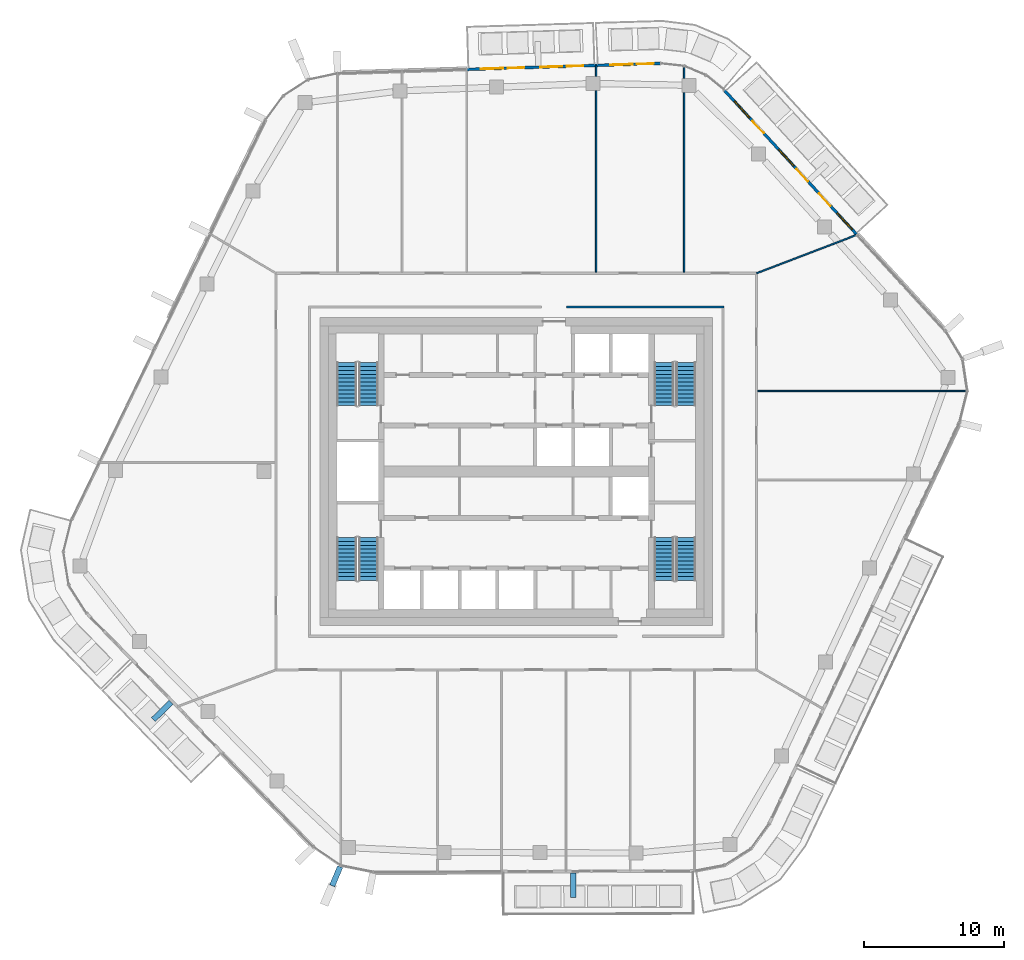
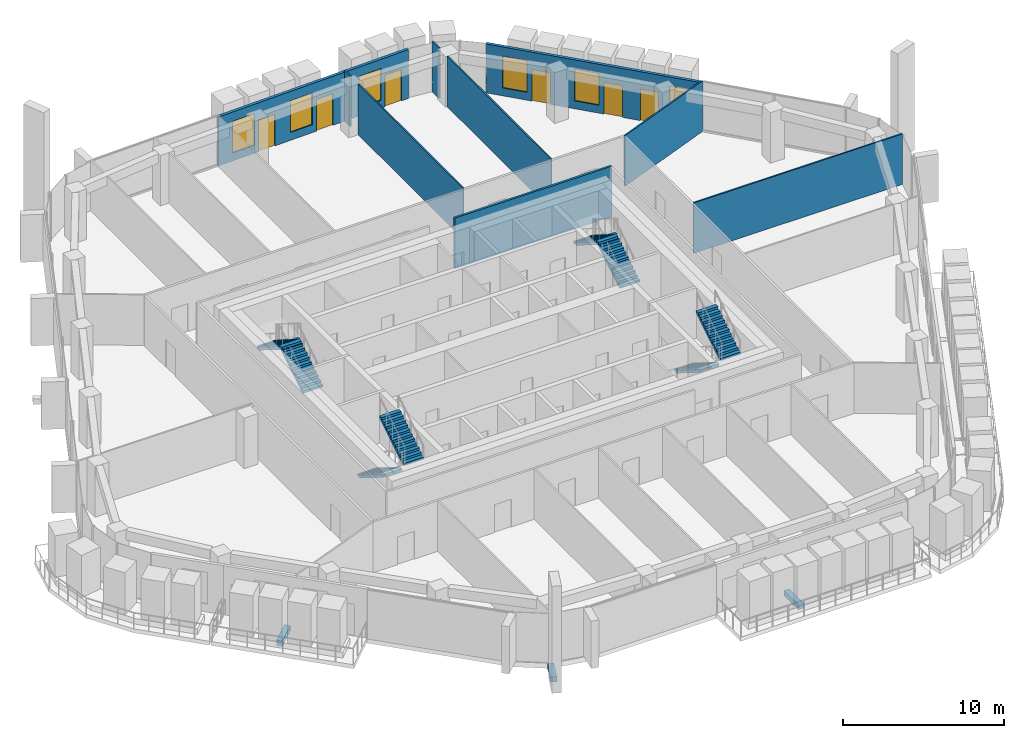
# One storey, part 16 of 24: 10 walls, 8 stair flights, 6 doors, 6 windows, 3 discrete accessories, 12 openings, 4 elements without a shape of their own.
"""IFC4 building model written with IfcOpenShell, lengths in metres."""

from ifc_helpers import new_model, si_unit, direction, frame, frame_2d, origin, origin_2d, place, context, subcontext, project, spatial, polyline, rectangle, outline, extrude, material, layer, layer_set, type_object, element, fill, aggregate, save


model = new_model("IFC4")

# Units and contexts
model_context = context("Model", 3, precision=1e-05, world=origin(), true_north=direction((0.0, 1.0)))
body_context = subcontext(model_context, "Body", "Model", "MODEL_VIEW")
ifc_project = project(units=[si_unit("LENGTHUNIT", "METRE"), si_unit("AREAUNIT", "SQUARE_METRE"), si_unit("VOLUMEUNIT", "CUBIC_METRE"), si_unit("PLANEANGLEUNIT", "RADIAN"), si_unit("MASSUNIT", "GRAM", prefix="KILO")], contexts=[model_context])

# Site, building, storey
site_placement = place(None, origin())
site = spatial("IfcSite", under=ifc_project, at=site_placement, CompositionType="ELEMENT")
building_placement = place(site_placement, origin())
building = spatial("IfcBuilding", under=site, at=building_placement, Name="Dongbaek Canopy Tower", CompositionType="ELEMENT")
storey_placement = place(building_placement, frame((0.0, 0.0, 344.60009765625)))
storey = spatial("IfcBuildingStorey", under=building, at=storey_placement, Name="L74", CompositionType="ELEMENT", Elevation=344.60009765625)

# Walls
ifc_material_1 = material(Name="Gypsum board partition, steel stud, 2 x 15 mm fire board", Category="steel")
ifc_layer_1 = layer(ifc_material_1, 0.14990234375)
ifc_layer_set_1 = layer_set([ifc_layer_1], Name="Fire-rated partition 150 gypsum board")
wall_type_1 = type_object("IfcWallType", Name="Fire-rated partition 150 gypsum board", PredefinedType="PARTITIONING", material=ifc_layer_set_1)
wall_1_placement = place(storey_placement, frame((3.60009765625, 11.75, 0.0), z_axis=(0.0, 0.0, 1.0), x_axis=(1.0, 0.0, 0.0)))
element("IfcWall", 1, at=wall_1_placement, inside=storey, type_object=wall_type_1, Name="Corridor partition", PredefinedType="PARTITIONING", context=body_context, shape_type="SweptSolid", body=[
    extrude(rectangle(XDim=11.224853515625, YDim=0.14990234375, at=frame_2d((5.6123046875, 0.0))), origin(), (0.0, 0.0, 1.0), 3.81982421875),
])
ifc_material_2 = material(Name="Gypsum board partition, steel stud, 2 x 12.5 mm board", Category="steel")
ifc_layer_2 = layer(ifc_material_2, 0.10009765625)
ifc_layer_set_2 = layer_set([ifc_layer_2], Name="Partition 100 gypsum board")
wall_type_2 = type_object("IfcWallType", Name="Partition 100 gypsum board", PredefinedType="PARTITIONING", material=ifc_layer_set_2)
wall_2_placement = place(storey_placement, frame((17.22509765625, 5.74609375, 0.0), z_axis=(0.0, 0.0, 1.0), x_axis=(1.0, 0.0, 0.0)))
element("IfcWall", 2, at=wall_2_placement, inside=storey, type_object=wall_type_2, Name="Partition", PredefinedType="PARTITIONING", context=body_context, shape_type="SweptSolid", body=[
    extrude(rectangle(XDim=14.93115234375, YDim=0.10009765625, at=frame_2d((7.465576171875, 0.0))), origin(), (0.0, 0.0, 1.0), 3.81982421875),
])
wall_3_placement = place(storey_placement, frame((17.14990234375, 14.150146484375, 0.0), z_axis=(0.0, 0.0, 1.0), x_axis=(0.933641376905, 0.358209127927, 0.0)))
element("IfcWall", 3, at=wall_3_placement, inside=storey, type_object=wall_type_2, Name="Partition", PredefinedType="PARTITIONING", context=body_context, shape_type="SweptSolid", body=[
    extrude(rectangle(XDim=7.650390625, YDim=0.10009765625, at=frame_2d((3.8251953125, 0.0))), origin(), (0.0, 0.0, 1.0), 3.81982421875),
])
wall_4_placement = place(storey_placement, frame((11.97900390625, 14.22509765625, 0.0), z_axis=(0.0, 0.0, 1.0), x_axis=(0.0, 1.0, 0.0)))
element("IfcWall", 4, at=wall_4_placement, inside=storey, type_object=wall_type_2, Name="Partition", PredefinedType="PARTITIONING", context=body_context, shape_type="SweptSolid", body=[
    extrude(rectangle(XDim=12.837890625, YDim=0.10009765625, at=frame_2d((6.4189453125, 0.0))), origin(), (0.0, 0.0, 1.0), 3.81982421875),
])
wall_5_placement = place(storey_placement, frame((11.97900390625, 28.06298828125, 0.0), z_axis=(0.0, 0.0, 1.0), x_axis=(0.0, 1.0, 0.0)))
element("IfcWall", 5, at=wall_5_placement, inside=storey, type_object=wall_type_2, Name="Partition", PredefinedType="PARTITIONING", context=body_context, shape_type="SweptSolid", body=[
    extrude(rectangle(XDim=0.851806640625, YDim=0.10009765625, at=frame_2d((0.42578125, 0.0))), origin(), (0.0, 0.0, 1.0), 3.81982421875),
])
wall_6_placement = place(storey_placement, frame((5.69189453125, 14.22509765625, 0.0), z_axis=(0.0, 0.0, 1.0), x_axis=(0.0, 1.0, 0.0)))
element("IfcWall", 6, at=wall_6_placement, inside=storey, type_object=wall_type_2, Name="Partition", PredefinedType="PARTITIONING", context=body_context, shape_type="SweptSolid", body=[
    extrude(rectangle(XDim=12.966796875, YDim=0.10009765625, at=frame_2d((6.4833984375, 0.0))), origin(), (0.0, 0.0, 1.0), 3.81982421875),
])
wall_7_placement = place(storey_placement, frame((5.69189453125, 28.19189453125, 0.0), z_axis=(0.0, 0.0, 1.0), x_axis=(0.0, 1.0, 0.0)))
element("IfcWall", 7, at=wall_7_placement, inside=storey, type_object=wall_type_2, Name="Partition", PredefinedType="PARTITIONING", context=body_context, shape_type="SweptSolid", body=[
    extrude(rectangle(XDim=0.77099609375, YDim=0.10009765625, at=frame_2d((0.385498046875, 0.0))), origin(), (0.0, 0.0, 1.0), 3.81982421875),
])

# Wall, openings, doors, windows
ifc_material_3 = material(Name="Aluminium window wall", Category="aluminium")
ifc_layer_3 = layer(ifc_material_3, 0.199951171875)
ifc_layer_set_3 = layer_set([ifc_layer_3], Name="Window wall 200")
wall_type_3 = type_object("IfcWallType", Name="Window wall 200", PredefinedType="SOLIDWALL", material=ifc_layer_set_3)
wall_8_placement = place(storey_placement, frame((24.312744140625, 16.898193359375, 0.0), z_axis=(0.0, 0.0, 1.0), x_axis=(-0.676360611012, 0.736570650971, 0.0)))
wall_8 = element("IfcWall", 8, at=wall_8_placement, inside=storey, type_object=wall_type_3, Name="Window wall L74 1", PredefinedType="SOLIDWALL", context=body_context, shape_type="SweptSolid", body=[
    extrude(rectangle(XDim=14.00537109375, YDim=0.199951171875, at=frame_2d((7.002685546875, 0.0))), origin(), (0.0, 0.0, 1.0), 3.699951171875),
])
opening_1_placement = place(wall_8_placement, frame((0.5, 0.0, 0.60009765625)))
opening_1 = element("IfcOpeningElement", 9, at=opening_1_placement, cuts=wall_8, Name="Opening W1", PredefinedType="OPENING", context=body_context, shape_type="SweptSolid", body=[
    extrude(rectangle(XDim=1.60009765625, YDim=2.39990234375, at=frame_2d((0.800048828125, 1.199951171875))), frame((0.0, 0.10986328125, 0.0), z_axis=(0.0, -1.0, 0.0), x_axis=(1.0, 0.0, 0.0)), (0.0, 0.0, 1.0), 0.219970703125),
])
opening_2_placement = place(wall_8_placement, frame((2.800048828125, 0.0, 0.0)))
opening_2 = element("IfcOpeningElement", 10, at=opening_2_placement, cuts=wall_8, Name="Opening L74-B01", PredefinedType="OPENING", context=body_context, shape_type="SweptSolid", body=[
    extrude(rectangle(XDim=1.199951171875, YDim=2.39990234375, at=frame_2d((0.60009765625, 1.199951171875))), frame((0.0, 0.10986328125, 0.0), z_axis=(0.0, -1.0, 0.0), x_axis=(1.0, 0.0, 0.0)), (0.0, 0.0, 1.0), 0.219970703125),
])
opening_3_placement = place(wall_8_placement, frame((6.66845703125, 0.0, 0.60009765625)))
opening_3 = element("IfcOpeningElement", 11, at=opening_3_placement, cuts=wall_8, Name="Opening W1", PredefinedType="OPENING", context=body_context, shape_type="SweptSolid", body=[
    extrude(rectangle(XDim=1.60009765625, YDim=2.39990234375, at=frame_2d((0.800048828125, 1.199951171875))), frame((0.0, 0.10986328125, 0.0), z_axis=(0.0, -1.0, 0.0), x_axis=(1.0, 0.0, 0.0)), (0.0, 0.0, 1.0), 0.219970703125),
])
opening_4_placement = place(wall_8_placement, frame((5.16845703125, 0.0, 0.0)))
opening_4 = element("IfcOpeningElement", 12, at=opening_4_placement, cuts=wall_8, Name="Opening L74-B02", PredefinedType="OPENING", context=body_context, shape_type="SweptSolid", body=[
    extrude(rectangle(XDim=1.199951171875, YDim=2.39990234375, at=frame_2d((0.60009765625, 1.199951171875))), frame((0.0, 0.10986328125, 0.0), z_axis=(0.0, -1.0, 0.0), x_axis=(1.0, 0.0, 0.0)), (0.0, 0.0, 1.0), 0.219970703125),
])
opening_5_placement = place(wall_8_placement, frame((11.3369140625, 0.0, 0.60009765625)))
opening_5 = element("IfcOpeningElement", 13, at=opening_5_placement, cuts=wall_8, Name="Opening W1", PredefinedType="OPENING", context=body_context, shape_type="SweptSolid", body=[
    extrude(rectangle(XDim=1.60009765625, YDim=2.39990234375, at=frame_2d((0.800048828125, 1.199951171875))), frame((0.0, 0.10986328125, 0.0), z_axis=(0.0, -1.0, 0.0), x_axis=(1.0, 0.0, 0.0)), (0.0, 0.0, 1.0), 0.219970703125),
])
opening_6_placement = place(wall_8_placement, frame((9.8369140625, 0.0, 0.0)))
opening_6 = element("IfcOpeningElement", 14, at=opening_6_placement, cuts=wall_8, Name="Opening L74-B03", PredefinedType="OPENING", context=body_context, shape_type="SweptSolid", body=[
    extrude(rectangle(XDim=1.199951171875, YDim=2.39990234375, at=frame_2d((0.60009765625, 1.199951171875))), frame((0.0, 0.10986328125, 0.0), z_axis=(0.0, -1.0, 0.0), x_axis=(1.0, 0.0, 0.0)), (0.0, 0.0, 1.0), 0.219970703125),
])
ifc_material_4 = material(Name="Clear glazing in aluminium frame", Category="aluminium")
door_type = type_object("IfcDoorType", Name="Balcony door BD1 1200 x 2400", OperationType="SLIDING_TO_LEFT", PredefinedType="DOOR", material=ifc_material_4)
door_1_placement = place(opening_2_placement, origin())
door_1 = element("IfcDoor", 15, at=door_1_placement, inside=storey, type_object=door_type, Name="Balcony door L74-B01", OperationType="SLIDING_TO_LEFT", OverallHeight=2.39990234375, OverallWidth=1.199951171875, PredefinedType="DOOR", context=body_context, shape_type="SweptSolid", body=[
    extrude(rectangle(XDim=1.199951171875, YDim=2.39990234375, at=frame_2d((0.60009765625, 1.199951171875))), frame((0.0, 0.02490234375, 0.0), z_axis=(0.0, -1.0, 0.0), x_axis=(1.0, 0.0, 0.0)), (0.0, 0.0, 1.0), 0.050048828125),
])
fill(opening_2, door_1)
door_2_placement = place(opening_4_placement, origin())
door_2 = element("IfcDoor", 16, at=door_2_placement, inside=storey, type_object=door_type, Name="Balcony door L74-B02", OperationType="SLIDING_TO_LEFT", OverallHeight=2.39990234375, OverallWidth=1.199951171875, PredefinedType="DOOR", context=body_context, shape_type="SweptSolid", body=[
    extrude(rectangle(XDim=1.199951171875, YDim=2.39990234375, at=frame_2d((0.60009765625, 1.199951171875))), frame((0.0, 0.02490234375, 0.0), z_axis=(0.0, -1.0, 0.0), x_axis=(1.0, 0.0, 0.0)), (0.0, 0.0, 1.0), 0.050048828125),
])
fill(opening_4, door_2)
door_3_placement = place(opening_6_placement, origin())
door_3 = element("IfcDoor", 17, at=door_3_placement, inside=storey, type_object=door_type, Name="Balcony door L74-B03", OperationType="SLIDING_TO_LEFT", OverallHeight=2.39990234375, OverallWidth=1.199951171875, PredefinedType="DOOR", context=body_context, shape_type="SweptSolid", body=[
    extrude(rectangle(XDim=1.199951171875, YDim=2.39990234375, at=frame_2d((0.60009765625, 1.199951171875))), frame((0.0, 0.02490234375, 0.0), z_axis=(0.0, -1.0, 0.0), x_axis=(1.0, 0.0, 0.0)), (0.0, 0.0, 1.0), 0.050048828125),
])
fill(opening_6, door_3)
ifc_material_5 = material(Name="Clear glazing in aluminium frame", Category="aluminium")
window_type = type_object("IfcWindowType", Name="Window W1 1600 x 2400", PartitioningType="SINGLE_PANEL", PredefinedType="WINDOW", material=ifc_material_5)
window_1_placement = place(opening_1_placement, origin())
window_1 = element("IfcWindow", 18, at=window_1_placement, inside=storey, type_object=window_type, Name="Window L74 1.1", OverallHeight=2.39990234375, OverallWidth=1.60009765625, PartitioningType="SINGLE_PANEL", PredefinedType="WINDOW", context=body_context, shape_type="SweptSolid", body=[
    extrude(rectangle(XDim=1.60009765625, YDim=2.39990234375, at=frame_2d((0.800048828125, 1.199951171875))), frame((0.0, 0.030029296875, 0.0), z_axis=(0.0, -1.0, 0.0), x_axis=(1.0, 0.0, 0.0)), (0.0, 0.0, 1.0), 0.06005859375),
])
fill(opening_1, window_1)
window_2_placement = place(opening_3_placement, origin())
window_2 = element("IfcWindow", 19, at=window_2_placement, inside=storey, type_object=window_type, Name="Window L74 1.2", OverallHeight=2.39990234375, OverallWidth=1.60009765625, PartitioningType="SINGLE_PANEL", PredefinedType="WINDOW", context=body_context, shape_type="SweptSolid", body=[
    extrude(rectangle(XDim=1.60009765625, YDim=2.39990234375, at=frame_2d((0.800048828125, 1.199951171875))), frame((0.0, 0.030029296875, 0.0), z_axis=(0.0, -1.0, 0.0), x_axis=(1.0, 0.0, 0.0)), (0.0, 0.0, 1.0), 0.06005859375),
])
fill(opening_3, window_2)
window_3_placement = place(opening_5_placement, origin())
window_3 = element("IfcWindow", 20, at=window_3_placement, inside=storey, type_object=window_type, Name="Window L74 1.3", OverallHeight=2.39990234375, OverallWidth=1.60009765625, PartitioningType="SINGLE_PANEL", PredefinedType="WINDOW", context=body_context, shape_type="SweptSolid", body=[
    extrude(rectangle(XDim=1.60009765625, YDim=2.39990234375, at=frame_2d((0.800048828125, 1.199951171875))), frame((0.0, 0.030029296875, 0.0), z_axis=(0.0, -1.0, 0.0), x_axis=(1.0, 0.0, 0.0)), (0.0, 0.0, 1.0), 0.06005859375),
])
fill(opening_5, window_3)

wall_9_placement = place(storey_placement, frame((5.692138671875, 28.98291015625, 0.0), z_axis=(0.0, 0.0, 1.0), x_axis=(-0.999518913705, -0.031015176069, 0.0)))
wall_9 = element("IfcWall", 21, at=wall_9_placement, inside=storey, type_object=wall_type_3, Name="Window wall L74 2", PredefinedType="SOLIDWALL", context=body_context, shape_type="SweptSolid", body=[
    extrude(rectangle(XDim=9.2333984375, YDim=0.199951171875, at=frame_2d((4.61669921875, 0.0))), origin(), (0.0, 0.0, 1.0), 3.699951171875),
])
opening_7_placement = place(wall_9_placement, frame((2.39990234375, 0.0, 0.60009765625)))
opening_7 = element("IfcOpeningElement", 22, at=opening_7_placement, cuts=wall_9, Name="Opening W1", PredefinedType="OPENING", context=body_context, shape_type="SweptSolid", body=[
    extrude(rectangle(XDim=1.60009765625, YDim=2.39990234375, at=frame_2d((0.800048828125, 1.199951171875))), frame((0.0, 0.10986328125, 0.0), z_axis=(0.0, -1.0, 0.0), x_axis=(1.0, 0.0, 0.0)), (0.0, 0.0, 1.0), 0.219970703125),
])
opening_8_placement = place(wall_9_placement, frame((0.89990234375, 0.0, 0.0)))
opening_8 = element("IfcOpeningElement", 23, at=opening_8_placement, cuts=wall_9, Name="Opening L74-B04", PredefinedType="OPENING", context=body_context, shape_type="SweptSolid", body=[
    extrude(rectangle(XDim=1.199951171875, YDim=2.39990234375, at=frame_2d((0.60009765625, 1.199951171875))), frame((0.0, 0.10986328125, 0.0), z_axis=(0.0, -1.0, 0.0), x_axis=(1.0, 0.0, 0.0)), (0.0, 0.0, 1.0), 0.219970703125),
])
opening_9_placement = place(wall_9_placement, frame((6.61669921875, 0.0, 0.60009765625)))
opening_9 = element("IfcOpeningElement", 24, at=opening_9_placement, cuts=wall_9, Name="Opening W1", PredefinedType="OPENING", context=body_context, shape_type="SweptSolid", body=[
    extrude(rectangle(XDim=1.60009765625, YDim=2.39990234375, at=frame_2d((0.800048828125, 1.199951171875))), frame((0.0, 0.10986328125, 0.0), z_axis=(0.0, -1.0, 0.0), x_axis=(1.0, 0.0, 0.0)), (0.0, 0.0, 1.0), 0.219970703125),
])
opening_10_placement = place(wall_9_placement, frame((5.11669921875, 0.0, 0.0)))
opening_10 = element("IfcOpeningElement", 25, at=opening_10_placement, cuts=wall_9, Name="Opening L74-B05", PredefinedType="OPENING", context=body_context, shape_type="SweptSolid", body=[
    extrude(rectangle(XDim=1.199951171875, YDim=2.39990234375, at=frame_2d((0.60009765625, 1.199951171875))), frame((0.0, 0.10986328125, 0.0), z_axis=(0.0, -1.0, 0.0), x_axis=(1.0, 0.0, 0.0)), (0.0, 0.0, 1.0), 0.219970703125),
])
door_4_placement = place(opening_8_placement, origin())
door_4 = element("IfcDoor", 26, at=door_4_placement, inside=storey, type_object=door_type, Name="Balcony door L74-B04", OperationType="SLIDING_TO_LEFT", OverallHeight=2.39990234375, OverallWidth=1.199951171875, PredefinedType="DOOR", context=body_context, shape_type="SweptSolid", body=[
    extrude(rectangle(XDim=1.199951171875, YDim=2.39990234375, at=frame_2d((0.60009765625, 1.199951171875))), frame((0.0, 0.02490234375, 0.0), z_axis=(0.0, -1.0, 0.0), x_axis=(1.0, 0.0, 0.0)), (0.0, 0.0, 1.0), 0.050048828125),
])
fill(opening_8, door_4)
door_5_placement = place(opening_10_placement, origin())
door_5 = element("IfcDoor", 27, at=door_5_placement, inside=storey, type_object=door_type, Name="Balcony door L74-B05", OperationType="SLIDING_TO_LEFT", OverallHeight=2.39990234375, OverallWidth=1.199951171875, PredefinedType="DOOR", context=body_context, shape_type="SweptSolid", body=[
    extrude(rectangle(XDim=1.199951171875, YDim=2.39990234375, at=frame_2d((0.60009765625, 1.199951171875))), frame((0.0, 0.02490234375, 0.0), z_axis=(0.0, -1.0, 0.0), x_axis=(1.0, 0.0, 0.0)), (0.0, 0.0, 1.0), 0.050048828125),
])
fill(opening_10, door_5)
window_4_placement = place(opening_7_placement, origin())
window_4 = element("IfcWindow", 28, at=window_4_placement, inside=storey, type_object=window_type, Name="Window L74 2.1", OverallHeight=2.39990234375, OverallWidth=1.60009765625, PartitioningType="SINGLE_PANEL", PredefinedType="WINDOW", context=body_context, shape_type="SweptSolid", body=[
    extrude(rectangle(XDim=1.60009765625, YDim=2.39990234375, at=frame_2d((0.800048828125, 1.199951171875))), frame((0.0, 0.030029296875, 0.0), z_axis=(0.0, -1.0, 0.0), x_axis=(1.0, 0.0, 0.0)), (0.0, 0.0, 1.0), 0.06005859375),
])
fill(opening_7, window_4)
window_5_placement = place(opening_9_placement, origin())
window_5 = element("IfcWindow", 29, at=window_5_placement, inside=storey, type_object=window_type, Name="Window L74 2.2", OverallHeight=2.39990234375, OverallWidth=1.60009765625, PartitioningType="SINGLE_PANEL", PredefinedType="WINDOW", context=body_context, shape_type="SweptSolid", body=[
    extrude(rectangle(XDim=1.60009765625, YDim=2.39990234375, at=frame_2d((0.800048828125, 1.199951171875))), frame((0.0, 0.030029296875, 0.0), z_axis=(0.0, -1.0, 0.0), x_axis=(1.0, 0.0, 0.0)), (0.0, 0.0, 1.0), 0.06005859375),
])
fill(opening_9, window_5)

# Wall, openings, door, window
wall_10_placement = place(storey_placement, frame((10.29931640625, 29.125732421875, 0.0), z_axis=(0.0, 0.0, 1.0), x_axis=(-0.999519847684, -0.030985062312, 0.0)))
wall_10 = element("IfcWall", 30, at=wall_10_placement, inside=storey, type_object=wall_type_3, Name="Window wall L74 6", PredefinedType="SOLIDWALL", context=body_context, shape_type="SweptSolid", body=[
    extrude(rectangle(XDim=4.609375, YDim=0.199951171875, at=frame_2d((2.3046875, 0.0))), origin(), (0.0, 0.0, 1.0), 3.699951171875),
])
opening_11_placement = place(wall_10_placement, frame((2.0, 0.0, 0.60009765625)))
opening_11 = element("IfcOpeningElement", 31, at=opening_11_placement, cuts=wall_10, Name="Opening W1", PredefinedType="OPENING", context=body_context, shape_type="SweptSolid", body=[
    extrude(rectangle(XDim=1.60009765625, YDim=2.39990234375, at=frame_2d((0.800048828125, 1.199951171875))), frame((0.0, 0.10986328125, 0.0), z_axis=(0.0, -1.0, 0.0), x_axis=(1.0, 0.0, 0.0)), (0.0, 0.0, 1.0), 0.219970703125),
])
opening_12_placement = place(wall_10_placement, frame((0.5, 0.0, 0.0)))
opening_12 = element("IfcOpeningElement", 32, at=opening_12_placement, cuts=wall_10, Name="Opening L74-B06", PredefinedType="OPENING", context=body_context, shape_type="SweptSolid", body=[
    extrude(rectangle(XDim=1.199951171875, YDim=2.39990234375, at=frame_2d((0.60009765625, 1.199951171875))), frame((0.0, 0.10986328125, 0.0), z_axis=(0.0, -1.0, 0.0), x_axis=(1.0, 0.0, 0.0)), (0.0, 0.0, 1.0), 0.219970703125),
])
door_6_placement = place(opening_12_placement, origin())
door_6 = element("IfcDoor", 33, at=door_6_placement, inside=storey, type_object=door_type, Name="Balcony door L74-B06", OperationType="SLIDING_TO_LEFT", OverallHeight=2.39990234375, OverallWidth=1.199951171875, PredefinedType="DOOR", context=body_context, shape_type="SweptSolid", body=[
    extrude(rectangle(XDim=1.199951171875, YDim=2.39990234375, at=frame_2d((0.60009765625, 1.199951171875))), frame((0.0, 0.02490234375, 0.0), z_axis=(0.0, -1.0, 0.0), x_axis=(1.0, 0.0, 0.0)), (0.0, 0.0, 1.0), 0.050048828125),
])
fill(opening_12, door_6)
window_6_placement = place(opening_11_placement, origin())
window_6 = element("IfcWindow", 34, at=window_6_placement, inside=storey, type_object=window_type, Name="Window L74 6.1", OverallHeight=2.39990234375, OverallWidth=1.60009765625, PartitioningType="SINGLE_PANEL", PredefinedType="WINDOW", context=body_context, shape_type="SweptSolid", body=[
    extrude(rectangle(XDim=1.60009765625, YDim=2.39990234375, at=frame_2d((0.800048828125, 1.199951171875))), frame((0.0, 0.030029296875, 0.0), z_axis=(0.0, -1.0, 0.0), x_axis=(1.0, 0.0, 0.0)), (0.0, 0.0, 1.0), 0.06005859375),
])
fill(opening_11, window_6)

# Stair, stair flights
ifc_material_6 = material(Name="Concrete C40/50", Category="concrete")
stair_type = type_object("IfcStairType", Name="Core exit stair", PredefinedType="HALF_TURN_STAIR", material=ifc_material_6)
stair_1_placement = place(storey_placement, origin())
stair_1 = element("IfcStair", 35, at=stair_1_placement, inside=storey, type_object=stair_type, Name="L74 exit stair A", PredefinedType="HALF_TURN_STAIR")
ifc_material_7 = material(Name="Concrete C40/50", Category="concrete")
ifc_layer_4 = layer(ifc_material_7, 0.14990234375)
ifc_layer_set_4 = layer_set([ifc_layer_4], Name="Core stair flight 150 waist")
stair_flight_type = type_object("IfcStairFlightType", Name="Core stair flight 150 waist", PredefinedType="STRAIGHT", material=ifc_layer_set_4)
stair_flight_1_placement = place(storey_placement, frame((12.10009765625, 4.699951171875, 0.0), z_axis=(0.0, 0.0, 1.0), x_axis=(0.0, 1.0, 0.0)))
stair_flight_1 = element("IfcStairFlight", 36, at=stair_flight_1_placement, type_object=stair_flight_type, Name="ST-A flight 1", NumberOfRisers=12, NumberOfTreads=11, PredefinedType="STRAIGHT", RiserHeight=0.175, TreadLength=0.28, context=body_context, shape_type="SweptSolid", body=[
    extrude(outline(polyline([(0.0, 0.0), (0.0, 0.175048828125), (0.280029296875, 0.175048828125), (0.280029296875, 0.35009765625), (0.56005859375, 0.35009765625), (0.56005859375, 0.52490234375), (0.840087890625, 0.52490234375), (0.840087890625, 0.699951171875), (1.1201171875, 0.699951171875), (1.1201171875, 0.875), (1.39990234375, 0.875), (1.39990234375, 1.050048828125), (1.679931640625, 1.050048828125), (1.679931640625, 1.22509765625), (1.9599609375, 1.22509765625), (1.9599609375, 1.39990234375), (2.239990234375, 1.39990234375), (2.239990234375, 1.574951171875), (2.52001953125, 1.574951171875), (2.52001953125, 1.75), (2.800048828125, 1.75), (2.800048828125, 1.925048828125), (3.080078125, 1.925048828125), (3.080078125, 2.10009765625), (3.080078125, 1.748291015625), (0.28271484375, 0.0), (0.0, 0.0)])), frame((0.0, 0.699951171875, 0.0), z_axis=(0.0, -1.0, 0.0), x_axis=(1.0, 0.0, 0.0)), (0.0, 0.0, 1.0), 1.39990234375),
])
stair_flight_2_placement = place(storey_placement, frame((10.550048828125, 7.780029296875, 2.099853515625), z_axis=(0.0, 0.0, 1.0), x_axis=(0.0, -1.0, 0.0)))
stair_flight_2 = element("IfcStairFlight", 37, at=stair_flight_2_placement, type_object=stair_flight_type, Name="ST-A flight 2", NumberOfRisers=12, NumberOfTreads=11, PredefinedType="STRAIGHT", RiserHeight=0.175, TreadLength=0.28, context=body_context, shape_type="SweptSolid", body=[
    extrude(outline(polyline([(0.0, 0.0), (0.0, 0.175048828125), (0.280029296875, 0.175048828125), (0.280029296875, 0.35009765625), (0.56005859375, 0.35009765625), (0.56005859375, 0.52490234375), (0.840087890625, 0.52490234375), (0.840087890625, 0.699951171875), (1.1201171875, 0.699951171875), (1.1201171875, 0.875), (1.39990234375, 0.875), (1.39990234375, 1.050048828125), (1.679931640625, 1.050048828125), (1.679931640625, 1.22509765625), (1.9599609375, 1.22509765625), (1.9599609375, 1.39990234375), (2.239990234375, 1.39990234375), (2.239990234375, 1.574951171875), (2.52001953125, 1.574951171875), (2.52001953125, 1.75), (2.800048828125, 1.75), (2.800048828125, 1.925048828125), (3.080078125, 1.925048828125), (3.080078125, 2.10009765625), (3.080078125, 1.748291015625), (0.28271484375, 0.0), (0.0, 0.0)])), frame((0.0, 0.699951171875, 0.0), z_axis=(0.0, -1.0, 0.0), x_axis=(1.0, 0.0, 0.0)), (0.0, 0.0, 1.0), 1.39990234375),
])
aggregate(stair_1, [stair_flight_1, stair_flight_2])

stair_2_placement = place(storey_placement, origin())
stair_2 = element("IfcStair", 38, at=stair_2_placement, inside=storey, type_object=stair_type, Name="L74 exit stair C", PredefinedType="HALF_TURN_STAIR")
stair_flight_3_placement = place(storey_placement, frame((-10.550048828125, 4.699951171875, 0.0), z_axis=(0.0, 0.0, 1.0), x_axis=(0.0, 1.0, 0.0)))
stair_flight_3 = element("IfcStairFlight", 39, at=stair_flight_3_placement, type_object=stair_flight_type, Name="ST-C flight 1", NumberOfRisers=12, NumberOfTreads=11, PredefinedType="STRAIGHT", RiserHeight=0.175, TreadLength=0.28, context=body_context, shape_type="SweptSolid", body=[
    extrude(outline(polyline([(0.0, 0.0), (0.0, 0.175048828125), (0.280029296875, 0.175048828125), (0.280029296875, 0.35009765625), (0.56005859375, 0.35009765625), (0.56005859375, 0.52490234375), (0.840087890625, 0.52490234375), (0.840087890625, 0.699951171875), (1.1201171875, 0.699951171875), (1.1201171875, 0.875), (1.39990234375, 0.875), (1.39990234375, 1.050048828125), (1.679931640625, 1.050048828125), (1.679931640625, 1.22509765625), (1.9599609375, 1.22509765625), (1.9599609375, 1.39990234375), (2.239990234375, 1.39990234375), (2.239990234375, 1.574951171875), (2.52001953125, 1.574951171875), (2.52001953125, 1.75), (2.800048828125, 1.75), (2.800048828125, 1.925048828125), (3.080078125, 1.925048828125), (3.080078125, 2.10009765625), (3.080078125, 1.748291015625), (0.28271484375, 0.0), (0.0, 0.0)])), frame((0.0, 0.699951171875, 0.0), z_axis=(0.0, -1.0, 0.0), x_axis=(1.0, 0.0, 0.0)), (0.0, 0.0, 1.0), 1.39990234375),
])
stair_flight_4_placement = place(storey_placement, frame((-12.10009765625, 7.780029296875, 2.099853515625), z_axis=(0.0, 0.0, 1.0), x_axis=(0.0, -1.0, 0.0)))
stair_flight_4 = element("IfcStairFlight", 40, at=stair_flight_4_placement, type_object=stair_flight_type, Name="ST-C flight 2", NumberOfRisers=12, NumberOfTreads=11, PredefinedType="STRAIGHT", RiserHeight=0.175, TreadLength=0.28, context=body_context, shape_type="SweptSolid", body=[
    extrude(outline(polyline([(0.0, 0.0), (0.0, 0.175048828125), (0.280029296875, 0.175048828125), (0.280029296875, 0.35009765625), (0.56005859375, 0.35009765625), (0.56005859375, 0.52490234375), (0.840087890625, 0.52490234375), (0.840087890625, 0.699951171875), (1.1201171875, 0.699951171875), (1.1201171875, 0.875), (1.39990234375, 0.875), (1.39990234375, 1.050048828125), (1.679931640625, 1.050048828125), (1.679931640625, 1.22509765625), (1.9599609375, 1.22509765625), (1.9599609375, 1.39990234375), (2.239990234375, 1.39990234375), (2.239990234375, 1.574951171875), (2.52001953125, 1.574951171875), (2.52001953125, 1.75), (2.800048828125, 1.75), (2.800048828125, 1.925048828125), (3.080078125, 1.925048828125), (3.080078125, 2.10009765625), (3.080078125, 1.748291015625), (0.28271484375, 0.0), (0.0, 0.0)])), frame((0.0, 0.699951171875, 0.0), z_axis=(0.0, -1.0, 0.0), x_axis=(1.0, 0.0, 0.0)), (0.0, 0.0, 1.0), 1.39990234375),
])
aggregate(stair_2, [stair_flight_3, stair_flight_4])

stair_3_placement = place(storey_placement, origin())
stair_3 = element("IfcStair", 41, at=stair_3_placement, inside=storey, type_object=stair_type, Name="L74 exit stair B", PredefinedType="HALF_TURN_STAIR")
stair_flight_5_placement = place(storey_placement, frame((10.550048828125, -4.699951171875, 0.0), z_axis=(0.0, 0.0, 1.0), x_axis=(0.0, -1.0, 0.0)))
stair_flight_5 = element("IfcStairFlight", 42, at=stair_flight_5_placement, type_object=stair_flight_type, Name="ST-B flight 1", NumberOfRisers=12, NumberOfTreads=11, PredefinedType="STRAIGHT", RiserHeight=0.175, TreadLength=0.28, context=body_context, shape_type="SweptSolid", body=[
    extrude(outline(polyline([(0.0, 0.0), (0.0, 0.175048828125), (0.280029296875, 0.175048828125), (0.280029296875, 0.35009765625), (0.56005859375, 0.35009765625), (0.56005859375, 0.52490234375), (0.840087890625, 0.52490234375), (0.840087890625, 0.699951171875), (1.1201171875, 0.699951171875), (1.1201171875, 0.875), (1.39990234375, 0.875), (1.39990234375, 1.050048828125), (1.679931640625, 1.050048828125), (1.679931640625, 1.22509765625), (1.9599609375, 1.22509765625), (1.9599609375, 1.39990234375), (2.239990234375, 1.39990234375), (2.239990234375, 1.574951171875), (2.52001953125, 1.574951171875), (2.52001953125, 1.75), (2.800048828125, 1.75), (2.800048828125, 1.925048828125), (3.080078125, 1.925048828125), (3.080078125, 2.10009765625), (3.080078125, 1.748291015625), (0.28271484375, 0.0), (0.0, 0.0)])), frame((0.0, 0.699951171875, 0.0), z_axis=(0.0, -1.0, 0.0), x_axis=(1.0, 0.0, 0.0)), (0.0, 0.0, 1.0), 1.39990234375),
])
stair_flight_6_placement = place(storey_placement, frame((12.10009765625, -7.780029296875, 2.099853515625), z_axis=(0.0, 0.0, 1.0), x_axis=(0.0, 1.0, 0.0)))
stair_flight_6 = element("IfcStairFlight", 43, at=stair_flight_6_placement, type_object=stair_flight_type, Name="ST-B flight 2", NumberOfRisers=12, NumberOfTreads=11, PredefinedType="STRAIGHT", RiserHeight=0.175, TreadLength=0.28, context=body_context, shape_type="SweptSolid", body=[
    extrude(outline(polyline([(0.0, 0.0), (0.0, 0.175048828125), (0.280029296875, 0.175048828125), (0.280029296875, 0.35009765625), (0.56005859375, 0.35009765625), (0.56005859375, 0.52490234375), (0.840087890625, 0.52490234375), (0.840087890625, 0.699951171875), (1.1201171875, 0.699951171875), (1.1201171875, 0.875), (1.39990234375, 0.875), (1.39990234375, 1.050048828125), (1.679931640625, 1.050048828125), (1.679931640625, 1.22509765625), (1.9599609375, 1.22509765625), (1.9599609375, 1.39990234375), (2.239990234375, 1.39990234375), (2.239990234375, 1.574951171875), (2.52001953125, 1.574951171875), (2.52001953125, 1.75), (2.800048828125, 1.75), (2.800048828125, 1.925048828125), (3.080078125, 1.925048828125), (3.080078125, 2.10009765625), (3.080078125, 1.748291015625), (0.28271484375, 0.0), (0.0, 0.0)])), frame((0.0, 0.699951171875, 0.0), z_axis=(0.0, -1.0, 0.0), x_axis=(1.0, 0.0, 0.0)), (0.0, 0.0, 1.0), 1.39990234375),
])
aggregate(stair_3, [stair_flight_5, stair_flight_6])

stair_4_placement = place(storey_placement, origin())
stair_4 = element("IfcStair", 44, at=stair_4_placement, inside=storey, type_object=stair_type, Name="L74 exit stair D", PredefinedType="HALF_TURN_STAIR")
stair_flight_7_placement = place(storey_placement, frame((-12.10009765625, -4.699951171875, 0.0), z_axis=(0.0, 0.0, 1.0), x_axis=(0.0, -1.0, 0.0)))
stair_flight_7 = element("IfcStairFlight", 45, at=stair_flight_7_placement, type_object=stair_flight_type, Name="ST-D flight 1", NumberOfRisers=12, NumberOfTreads=11, PredefinedType="STRAIGHT", RiserHeight=0.175, TreadLength=0.28, context=body_context, shape_type="SweptSolid", body=[
    extrude(outline(polyline([(0.0, 0.0), (0.0, 0.175048828125), (0.280029296875, 0.175048828125), (0.280029296875, 0.35009765625), (0.56005859375, 0.35009765625), (0.56005859375, 0.52490234375), (0.840087890625, 0.52490234375), (0.840087890625, 0.699951171875), (1.1201171875, 0.699951171875), (1.1201171875, 0.875), (1.39990234375, 0.875), (1.39990234375, 1.050048828125), (1.679931640625, 1.050048828125), (1.679931640625, 1.22509765625), (1.9599609375, 1.22509765625), (1.9599609375, 1.39990234375), (2.239990234375, 1.39990234375), (2.239990234375, 1.574951171875), (2.52001953125, 1.574951171875), (2.52001953125, 1.75), (2.800048828125, 1.75), (2.800048828125, 1.925048828125), (3.080078125, 1.925048828125), (3.080078125, 2.10009765625), (3.080078125, 1.748291015625), (0.28271484375, 0.0), (0.0, 0.0)])), frame((0.0, 0.699951171875, 0.0), z_axis=(0.0, -1.0, 0.0), x_axis=(1.0, 0.0, 0.0)), (0.0, 0.0, 1.0), 1.39990234375),
])
stair_flight_8_placement = place(storey_placement, frame((-10.550048828125, -7.780029296875, 2.099853515625), z_axis=(0.0, 0.0, 1.0), x_axis=(0.0, 1.0, 0.0)))
stair_flight_8 = element("IfcStairFlight", 46, at=stair_flight_8_placement, type_object=stair_flight_type, Name="ST-D flight 2", NumberOfRisers=12, NumberOfTreads=11, PredefinedType="STRAIGHT", RiserHeight=0.175, TreadLength=0.28, context=body_context, shape_type="SweptSolid", body=[
    extrude(outline(polyline([(0.0, 0.0), (0.0, 0.175048828125), (0.280029296875, 0.175048828125), (0.280029296875, 0.35009765625), (0.56005859375, 0.35009765625), (0.56005859375, 0.52490234375), (0.840087890625, 0.52490234375), (0.840087890625, 0.699951171875), (1.1201171875, 0.699951171875), (1.1201171875, 0.875), (1.39990234375, 0.875), (1.39990234375, 1.050048828125), (1.679931640625, 1.050048828125), (1.679931640625, 1.22509765625), (1.9599609375, 1.22509765625), (1.9599609375, 1.39990234375), (2.239990234375, 1.39990234375), (2.239990234375, 1.574951171875), (2.52001953125, 1.574951171875), (2.52001953125, 1.75), (2.800048828125, 1.75), (2.800048828125, 1.925048828125), (3.080078125, 1.925048828125), (3.080078125, 2.10009765625), (3.080078125, 1.748291015625), (0.28271484375, 0.0), (0.0, 0.0)])), frame((0.0, 0.699951171875, 0.0), z_axis=(0.0, -1.0, 0.0), x_axis=(1.0, 0.0, 0.0)), (0.0, 0.0, 1.0), 1.39990234375),
])
aggregate(stair_4, [stair_flight_7, stair_flight_8])

# Discrete accessories
ifc_material_8 = material(Name="Galvanised steel S355 bracket", Category="steel")
discrete_accessory_type = type_object("IfcDiscreteAccessoryType", Name="Crease fin bracket BR3 400", PredefinedType="BRACKET", material=ifc_material_8)
discrete_accessory_1_placement = place(storey_placement, frame((-25.260009765625, -17.077392578125, -0.39013671875), z_axis=(0.0, 0.0, 1.0), x_axis=(-0.71768039339, -0.696372639427, 0.0)))
element("IfcDiscreteAccessory", 47, at=discrete_accessory_1_placement, inside=storey, type_object=discrete_accessory_type, Name="Crease fin bracket L74 F3", PredefinedType="BRACKET", context=body_context, shape_type="SweptSolid", body=[
    extrude(rectangle(XDim=1.76611328125, YDim=0.39990234375, at=origin_2d()), origin(), (0.0, 0.0, 1.0), 0.39990234375),
])
discrete_accessory_2_placement = place(storey_placement, frame((4.06689453125, -29.5087890625, -0.39013671875), z_axis=(0.0, 0.0, 1.0), x_axis=(0.003064793369, -0.99999530351, 0.0)))
element("IfcDiscreteAccessory", 48, at=discrete_accessory_2_placement, inside=storey, type_object=discrete_accessory_type, Name="Crease fin bracket L74 F4", PredefinedType="BRACKET", context=body_context, shape_type="SweptSolid", body=[
    extrude(rectangle(XDim=1.758056640625, YDim=0.39990234375, at=origin_2d()), origin(), (0.0, 0.0, 1.0), 0.39990234375),
])
discrete_accessory_3_placement = place(storey_placement, frame((-12.853759765625, -28.880615234375, -0.39013671875), z_axis=(0.0, 0.0, 1.0), x_axis=(-0.388220195323, -0.921566644331, 0.0)))
element("IfcDiscreteAccessory", 49, at=discrete_accessory_3_placement, inside=storey, type_object=discrete_accessory_type, Name="Corner fin bracket L74 K4", PredefinedType="BRACKET", context=body_context, shape_type="SweptSolid", body=[
    extrude(rectangle(XDim=1.469970703125, YDim=0.39990234375, at=origin_2d()), origin(), (0.0, 0.0, 1.0), 0.39990234375),
])

save(model, "model.ifc")
